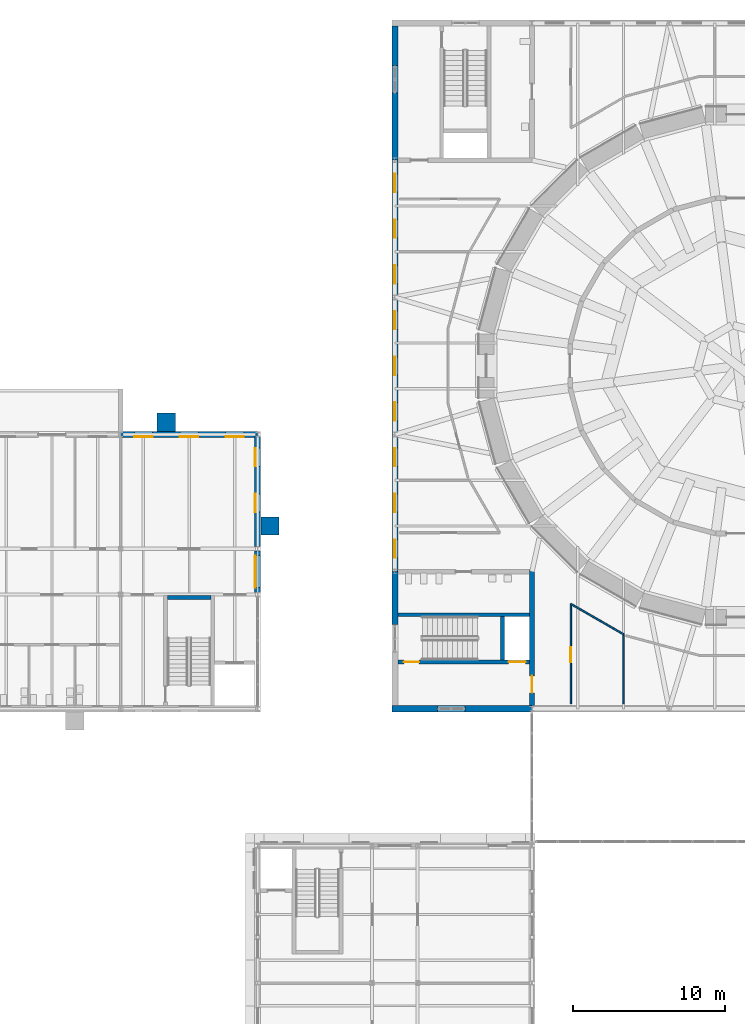
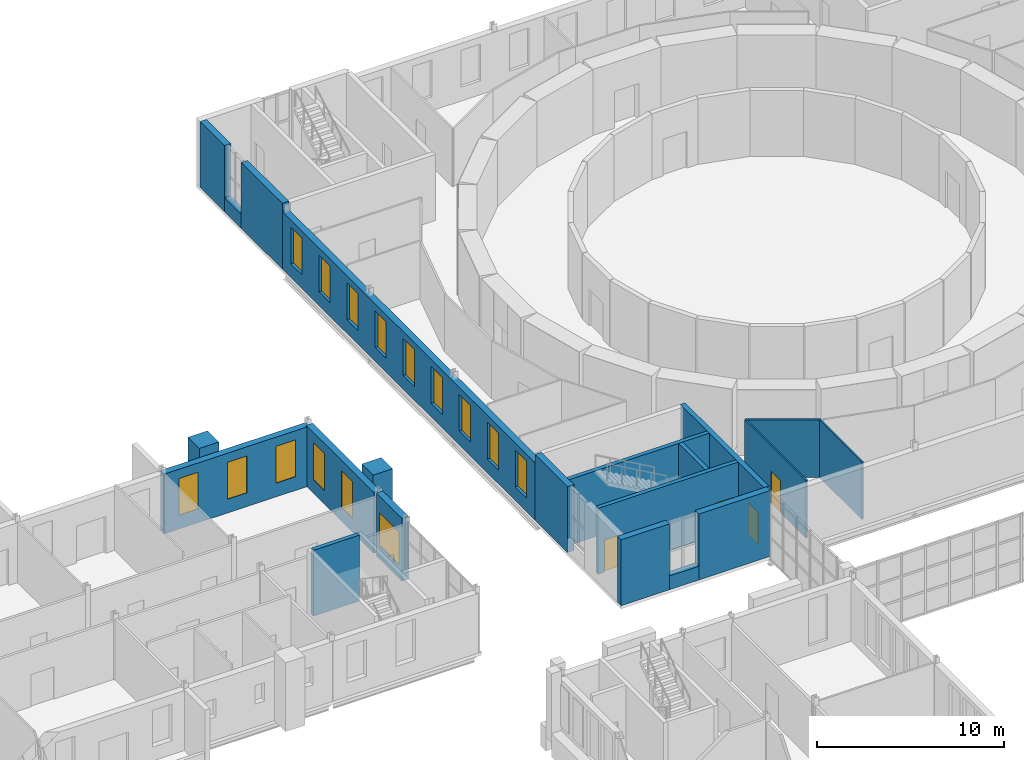
# One storey, part 84 of 131: 21 walls, 15 windows, 4 doors, 19 openings.
"""IFC4 building model written with IfcOpenShell, lengths in metres."""

import ifcopenshell
import ifcopenshell.guid

model = None  # the IFC model being written
_history = None  # IfcOwnerHistory: only IFC2X3 demands one
_inside = {}  # id of a spatial element -> (the spatial element, [elements in it])
_under = {}  # id of a project, library or spatial element -> (it, [spatial elements below it])
_declared = {}  # id of a project -> (the project, [libraries it declares])
_typed = {}  # id of a type object -> (the type object, [elements of that type])
_made_of = {}  # id of a material, layer set ... -> (it, [elements and type objects made of it])


def new_model(schema):
    """Start an empty IFC model of exactly this schema.

    Asked for "IFC4X3", IfcOpenShell would pick the latest addendum, in which some entities
    have other attributes; the version numbers below select the first issue.
    IFC2X3 requires an IfcOwnerHistory on every rooted entity: one is made here for all.
    """
    global model, _history
    if schema == "IFC4X3":
        model = ifcopenshell.file(schema_version=(4, 3, 0, 0))
    else:
        model = ifcopenshell.file(schema=schema)
    _inside.clear()
    _under.clear()
    _declared.clear()
    _typed.clear()
    _made_of.clear()
    _history = None
    if model.schema == "IFC2X3":
        org = make("IfcOrganization", Name="unknown")
        user = make(
            "IfcPersonAndOrganization",
            ThePerson=make("IfcPerson", FamilyName="unknown"),
            TheOrganization=org,
        )
        app = make(
            "IfcApplication",
            ApplicationDeveloper=org,
            Version="unknown",
            ApplicationFullName="unknown",
            ApplicationIdentifier="unknown",
        )
        _history = make(
            "IfcOwnerHistory",
            OwningUser=user,
            OwningApplication=app,
            ChangeAction="ADDED",
            CreationDate=0,
        )
    return model


def make(cls, **values):
    """One entity of the class cls with the attributes given. An attribute that is None is left unset."""
    return model.create_entity(
        cls, **{name: value for name, value in values.items() if value is not None}
    )


def rooted(cls, **values):
    """An entity with a GlobalId (a new one), such as an element, a storey or a relation."""
    return make(cls, GlobalId=ifcopenshell.guid.new(), OwnerHistory=_history, **values)


def si_unit(unit_type, name, prefix=None):
    """IfcSIUnit, for example si_unit("LENGTHUNIT", "METRE", prefix="MILLI")."""
    return make("IfcSIUnit", UnitType=unit_type, Prefix=prefix, Name=name)


def assignment(units):
    """IfcUnitAssignment: the units of a project."""
    return None if units is None else make("IfcUnitAssignment", Units=units)


def point(xyz):
    """IfcCartesianPoint."""
    return None if xyz is None else make("IfcCartesianPoint", Coordinates=xyz)


def direction(xyz):
    """IfcDirection."""
    return None if xyz is None else make("IfcDirection", DirectionRatios=xyz)


def frame(location, z_axis=None, x_axis=None):
    """IfcAxis2Placement3D, a coordinate frame: its origin and axes. An axis left out is left unset."""
    return make(
        "IfcAxis2Placement3D",
        Location=point(location),
        Axis=direction(z_axis),
        RefDirection=direction(x_axis),
    )


def frame_2d(location, x_axis=None):
    """IfcAxis2Placement2D, a coordinate frame in the plane: its origin and x axis."""
    return make(
        "IfcAxis2Placement2D", Location=point(location), RefDirection=direction(x_axis)
    )


def origin():
    """The frame at (0, 0, 0) with its axes left unset."""
    return frame((0.0, 0.0, 0.0))


def place(relative_to, where):
    """IfcLocalPlacement: puts the frame where relative to a parent placement (None: the world)."""
    return make(
        "IfcLocalPlacement", PlacementRelTo=relative_to, RelativePlacement=where
    )


def context(
    kind, dimensions, precision=None, world=None, true_north=None, identifier=None
):
    """IfcGeometricRepresentationContext, for example the 3D "Model" context."""
    return make(
        "IfcGeometricRepresentationContext",
        ContextIdentifier=identifier,
        ContextType=kind,
        CoordinateSpaceDimension=dimensions,
        Precision=precision,
        WorldCoordinateSystem=world,
        TrueNorth=true_north,
    )


def subcontext(parent, identifier, kind, view, scale=None):
    """IfcGeometricRepresentationSubContext, for example "Body" below "Model"."""
    return make(
        "IfcGeometricRepresentationSubContext",
        ContextIdentifier=identifier,
        ContextType=kind,
        ParentContext=parent,
        TargetScale=scale,
        TargetView=view,
    )


def project(units=None, contexts=None):
    """IfcProject with its units and contexts."""
    return rooted(
        "IfcProject",
        Name="project",
        RepresentationContexts=contexts,
        UnitsInContext=assignment(units),
    )


def spatial(cls, under=None, at=None, **own):
    """A site, building, storey or space (cls), placed at a placement, below another one or the project."""
    s = rooted(cls, ObjectPlacement=at, **own)
    if under is not None:
        _under.setdefault(under.id(), (under, []))[1].append(s)
    return s


def profile(cls, at=None, kind="AREA", **sizes):
    """A parametric profile (cls). Its sizes go by their IFC names, for example OverallWidth=200.0."""
    return make(cls, ProfileType=kind, Position=at, **sizes)


def rectangle(**sizes):
    """IfcRectangleProfileDef."""
    return profile("IfcRectangleProfileDef", **sizes)


def extrude(swept, where, along, depth):
    """IfcExtrudedAreaSolid: the profile swept, set in the frame where, extruded along a direction by depth."""
    return make(
        "IfcExtrudedAreaSolid",
        SweptArea=swept,
        Position=where,
        ExtrudedDirection=direction(along),
        Depth=depth,
    )


def shape(context_of_items, identifier, shape_type, items):
    """IfcShapeRepresentation: the items that make up one representation, for example the "Body"."""
    return make(
        "IfcShapeRepresentation",
        ContextOfItems=context_of_items,
        RepresentationIdentifier=identifier,
        RepresentationType=shape_type,
        Items=items,
    )


def material(Name=None, Category=None):
    """IfcMaterial."""
    return make("IfcMaterial", Name=Name, Category=Category)


def layer(
    of_material, thickness, ventilated=None, Name=None, Category=None, Priority=None
):
    """IfcMaterialLayer: one layer of a wall or slab, of a material (None: an air gap)."""
    return make(
        "IfcMaterialLayer",
        Material=of_material,
        LayerThickness=thickness,
        IsVentilated=ventilated,
        Name=Name,
        Category=Category,
        Priority=Priority,
    )


def layer_set(layers, Name=None):
    """IfcMaterialLayerSet."""
    return make("IfcMaterialLayerSet", MaterialLayers=layers, LayerSetName=Name)


def made_of(thing, what):
    """Note that an element or type object is made of a material, layer set ...; save() writes the relation."""
    if what is not None:
        _made_of.setdefault(what.id(), (what, []))[1].append(thing)
    return thing


def type_object(cls, material=None, **own):
    """A type object (cls), such as IfcWallType, which elements share."""
    return made_of(rooted(cls, **own), material)


def element(
    cls,
    number,
    at=None,
    inside=None,
    cuts=None,
    type_object=None,
    material=None,
    context=None,
    identifier="Body",
    shape_type=None,
    held_by="IfcProductDefinitionShape",
    body=None,
    shapes=None,
    **own,
):
    """One element of the class cls, such as IfcWall. Its Tag is "e" and its number.

    at: its placement. inside: the storey or other place that contains it. cuts: it is an
    opening in that element (IfcRelVoidsElement). A single representation is given by context,
    identifier, shape_type and body (its items); several are given by shapes. held_by: the class
    of the entity that holds the representations. save() writes the other relations.
    """
    e = rooted(cls, Tag="e%d" % number, ObjectPlacement=at, **own)
    if body is not None:
        shapes = [shape(context, identifier, shape_type, body)]
    if shapes is not None:
        e.Representation = make(held_by, Representations=shapes)
    if inside is not None:
        _inside.setdefault(inside.id(), (inside, []))[1].append(e)
    if cuts is not None:
        rooted(
            "IfcRelVoidsElement", RelatingBuildingElement=cuts, RelatedOpeningElement=e
        )
    if type_object is not None:
        _typed.setdefault(type_object.id(), (type_object, []))[1].append(e)
    return made_of(e, material)


def fill(opening, filler):
    """IfcRelFillsElement: the door or window that sits in an opening."""
    return rooted(
        "IfcRelFillsElement",
        RelatingOpeningElement=opening,
        RelatedBuildingElement=filler,
    )


def aggregate(whole, parts):
    """IfcRelAggregates: a whole, such as a stair, and the parts it consists of."""
    return rooted("IfcRelAggregates", RelatingObject=whole, RelatedObjects=parts)


def save(model, path):
    """Write the relations noted so far, then the file.

    IfcRelAggregates (storeys below a building ...), IfcRelContainedInSpatialStructure (elements
    in a storey), IfcRelDefinesByType, IfcRelAssociatesMaterial and IfcRelDeclares: one each for
    every whole, place, type object, material and project.
    """
    for whole, parts in _under.values():
        aggregate(whole, parts)
    for where, things in _inside.values():
        rooted(
            "IfcRelContainedInSpatialStructure",
            RelatedElements=things,
            RelatingStructure=where,
        )
    for kind, things in _typed.values():
        rooted("IfcRelDefinesByType", RelatedObjects=things, RelatingType=kind)
    for what, things in _made_of.values():
        rooted("IfcRelAssociatesMaterial", RelatedObjects=things, RelatingMaterial=what)
    for by, libraries in _declared.values():
        rooted("IfcRelDeclares", RelatingContext=by, RelatedDefinitions=libraries)
    model.write(path)


model = new_model("IFC4")

# Units and contexts
model_context = context("Model", 3, precision=1e-05, world=origin(), true_north=direction((0.0, 1.0)))
body_context = subcontext(model_context, "Body", "Model", "MODEL_VIEW")
ifc_project = project(units=[si_unit("LENGTHUNIT", "METRE"), si_unit("AREAUNIT", "SQUARE_METRE"), si_unit("VOLUMEUNIT", "CUBIC_METRE"), si_unit("PLANEANGLEUNIT", "RADIAN"), si_unit("MASSUNIT", "GRAM", prefix="KILO")], contexts=[model_context])

# Site, building, storey
site_placement = place(None, origin())
site = spatial("IfcSite", under=ifc_project, at=site_placement, CompositionType="ELEMENT")
building_placement = place(site_placement, origin())
building = spatial("IfcBuilding", under=site, at=building_placement, Name="Golden Quay Civic Hall", CompositionType="ELEMENT")
storey_placement = place(building_placement, frame((0.0, 0.0, 9.89990234375)))
storey = spatial("IfcBuildingStorey", under=building, at=storey_placement, Name="L02", CompositionType="ELEMENT", Elevation=9.89990234375)

# Wall, openings, windows
ifc_material_1 = material(Name="Brick, dark clay facing", Category="masonry")
ifc_layer_1 = layer(ifc_material_1, 0.39990234375)
ifc_layer_set_1 = layer_set([ifc_layer_1], Name="Brick external wall 400")
wall_type_1 = type_object("IfcWallType", Name="Brick external wall 400", PredefinedType="STANDARD", material=ifc_layer_set_1)
wall_1_placement = place(storey_placement, frame((45.009033203125, 81.0, 0.0), z_axis=(0.0, 0.0, 1.0), x_axis=(1.0, 0.0, 0.0)))
wall_1 = element("IfcWall", 1, at=wall_1_placement, inside=storey, type_object=wall_type_1, Name="Brick external wall 400 L02 5", PredefinedType="STANDARD", context=body_context, shape_type="SweptSolid", body=[
    extrude(rectangle(XDim=8.98193359375, YDim=0.39990234375, at=frame_2d((4.490966796875, 0.0))), origin(), (0.0, 0.0, 1.0), 3.900146484375),
])
opening_1_placement = place(wall_1_placement, frame((0.89111328125, 0.0, 0.89990234375)))
opening_1 = element("IfcOpeningElement", 2, at=opening_1_placement, cuts=wall_1, Name="Opening WN7", PredefinedType="OPENING", context=body_context, shape_type="SweptSolid", body=[
    extrude(rectangle(XDim=1.199951171875, YDim=2.39990234375, at=frame_2d((0.60009765625, 1.199951171875))), frame((0.0, 0.2099609375, 0.0), z_axis=(0.0, -1.0, 0.0), x_axis=(1.0, 0.0, 0.0)), (0.0, 0.0, 1.0), 0.419921875),
])
opening_2_placement = place(wall_1_placement, frame((3.89111328125, 0.0, 0.89990234375)))
opening_2 = element("IfcOpeningElement", 3, at=opening_2_placement, cuts=wall_1, Name="Opening WN7", PredefinedType="OPENING", context=body_context, shape_type="SweptSolid", body=[
    extrude(rectangle(XDim=1.199951171875, YDim=2.39990234375, at=frame_2d((0.60009765625, 1.199951171875))), frame((0.0, 0.2099609375, 0.0), z_axis=(0.0, -1.0, 0.0), x_axis=(1.0, 0.0, 0.0)), (0.0, 0.0, 1.0), 0.419921875),
])
opening_3_placement = place(wall_1_placement, frame((6.89111328125, 0.0, 0.89990234375)))
opening_3 = element("IfcOpeningElement", 4, at=opening_3_placement, cuts=wall_1, Name="Opening WN7", PredefinedType="OPENING", context=body_context, shape_type="SweptSolid", body=[
    extrude(rectangle(XDim=1.199951171875, YDim=2.39990234375, at=frame_2d((0.60009765625, 1.199951171875))), frame((0.0, 0.2099609375, 0.0), z_axis=(0.0, -1.0, 0.0), x_axis=(1.0, 0.0, 0.0)), (0.0, 0.0, 1.0), 0.419921875),
])
ifc_material_2 = material(Name="Aluminium frame, double glazed", Category="aluminium")
window_type_1 = type_object("IfcWindowType", Name="Window 1200 x 2400", PartitioningType="SINGLE_PANEL", PredefinedType="WINDOW", material=ifc_material_2)
window_1_placement = place(opening_1_placement, origin())
window_1 = element("IfcWindow", 5, at=window_1_placement, inside=storey, type_object=window_type_1, Name="Window 1200 x 2400 L02 11", OverallHeight=2.39990234375, OverallWidth=1.199951171875, PartitioningType="SINGLE_PANEL", PredefinedType="WINDOW", context=body_context, shape_type="SweptSolid", body=[
    extrude(rectangle(XDim=1.199951171875, YDim=2.39990234375, at=frame_2d((0.60009765625, 1.199951171875))), frame((0.0, -0.119873046875, 0.0), z_axis=(0.0, -1.0, 0.0), x_axis=(1.0, 0.0, 0.0)), (0.0, 0.0, 1.0), 0.06005859375),
])
fill(opening_1, window_1)
window_2_placement = place(opening_2_placement, origin())
window_2 = element("IfcWindow", 6, at=window_2_placement, inside=storey, type_object=window_type_1, Name="Window 1200 x 2400 L02 12", OverallHeight=2.39990234375, OverallWidth=1.199951171875, PartitioningType="SINGLE_PANEL", PredefinedType="WINDOW", context=body_context, shape_type="SweptSolid", body=[
    extrude(rectangle(XDim=1.199951171875, YDim=2.39990234375, at=frame_2d((0.60009765625, 1.199951171875))), frame((0.0, -0.119873046875, 0.0), z_axis=(0.0, -1.0, 0.0), x_axis=(1.0, 0.0, 0.0)), (0.0, 0.0, 1.0), 0.06005859375),
])
fill(opening_2, window_2)
window_3_placement = place(opening_3_placement, origin())
window_3 = element("IfcWindow", 7, at=window_3_placement, inside=storey, type_object=window_type_1, Name="Window 1200 x 2400 L02 13", OverallHeight=2.39990234375, OverallWidth=1.199951171875, PartitioningType="SINGLE_PANEL", PredefinedType="WINDOW", context=body_context, shape_type="SweptSolid", body=[
    extrude(rectangle(XDim=1.199951171875, YDim=2.39990234375, at=frame_2d((0.60009765625, 1.199951171875))), frame((0.0, -0.119873046875, 0.0), z_axis=(0.0, -1.0, 0.0), x_axis=(1.0, 0.0, 0.0)), (0.0, 0.0, 1.0), 0.06005859375),
])
fill(opening_3, window_3)

# Wall, opening, window
wall_2_placement = place(storey_placement, frame((54.0, 73.364990234375, 0.0), z_axis=(0.0, 0.0, 1.0), x_axis=(0.0, -1.0, 0.0)))
wall_2 = element("IfcWall", 8, at=wall_2_placement, inside=storey, type_object=wall_type_1, Name="Brick external wall 400 L02 6", PredefinedType="STANDARD", context=body_context, shape_type="SweptSolid", body=[
    extrude(rectangle(XDim=2.72998046875, YDim=0.39990234375, at=frame_2d((1.364990234375, 0.0))), origin(), (0.0, 0.0, 1.0), 4.10009765625),
])
opening_4_placement = place(wall_2_placement, frame((0.31494140625, 0.0, 0.89990234375)))
opening_4 = element("IfcOpeningElement", 9, at=opening_4_placement, cuts=wall_2, Name="Opening WN2", PredefinedType="OPENING", context=body_context, shape_type="SweptSolid", body=[
    extrude(rectangle(XDim=2.10009765625, YDim=2.10009765625, at=frame_2d((1.050048828125, 1.050048828125))), frame((0.0, 0.2099609375, 0.0), z_axis=(0.0, -1.0, 0.0), x_axis=(1.0, 0.0, 0.0)), (0.0, 0.0, 1.0), 0.419921875),
])
ifc_material_3 = material(Name="Aluminium frame, double glazed", Category="aluminium")
window_type_2 = type_object("IfcWindowType", Name="Corridor end window 2100 x 2100", PartitioningType="SINGLE_PANEL", PredefinedType="WINDOW", material=ifc_material_3)
window_4_placement = place(opening_4_placement, origin())
window_4 = element("IfcWindow", 10, at=window_4_placement, inside=storey, type_object=window_type_2, Name="Corridor end window 2100 x 2100 L02 1", OverallHeight=2.10009765625, OverallWidth=2.10009765625, PartitioningType="SINGLE_PANEL", PredefinedType="WINDOW", context=body_context, shape_type="SweptSolid", body=[
    extrude(rectangle(XDim=2.10009765625, YDim=2.10009765625, at=frame_2d((1.050048828125, 1.050048828125))), frame((0.0, -0.119873046875, 0.0), z_axis=(0.0, -1.0, 0.0), x_axis=(1.0, 0.0, 0.0)), (0.0, 0.0, 1.0), 0.06005859375),
])
fill(opening_4, window_4)

# Wall, openings, windows
wall_3_placement = place(storey_placement, frame((54.0, 80.864990234375, 0.0), z_axis=(0.0, 0.0, 1.0), x_axis=(0.0, -1.0, 0.0)))
wall_3 = element("IfcWall", 11, at=wall_3_placement, inside=storey, type_object=wall_type_1, Name="Brick external wall 400 L02 7", PredefinedType="STANDARD", context=body_context, shape_type="SweptSolid", body=[
    extrude(rectangle(XDim=7.22998046875, YDim=0.39990234375, at=frame_2d((3.614990234375, 0.0))), origin(), (0.0, 0.0, 1.0), 3.97021484375),
])
opening_5_placement = place(wall_3_placement, frame((3.764892578125, 0.0, 0.89990234375)))
opening_5 = element("IfcOpeningElement", 12, at=opening_5_placement, cuts=wall_3, Name="Opening WN7", PredefinedType="OPENING", context=body_context, shape_type="SweptSolid", body=[
    extrude(rectangle(XDim=1.199951171875, YDim=2.39990234375, at=frame_2d((0.60009765625, 1.199951171875))), frame((0.0, 0.2099609375, 0.0), z_axis=(0.0, -1.0, 0.0), x_axis=(1.0, 0.0, 0.0)), (0.0, 0.0, 1.0), 0.419921875),
])
opening_6_placement = place(wall_3_placement, frame((0.764892578125, 0.0, 0.89990234375)))
opening_6 = element("IfcOpeningElement", 13, at=opening_6_placement, cuts=wall_3, Name="Opening WN7", PredefinedType="OPENING", context=body_context, shape_type="SweptSolid", body=[
    extrude(rectangle(XDim=1.199951171875, YDim=2.39990234375, at=frame_2d((0.60009765625, 1.199951171875))), frame((0.0, 0.2099609375, 0.0), z_axis=(0.0, -1.0, 0.0), x_axis=(1.0, 0.0, 0.0)), (0.0, 0.0, 1.0), 0.419921875),
])
window_5_placement = place(opening_5_placement, origin())
window_5 = element("IfcWindow", 14, at=window_5_placement, inside=storey, type_object=window_type_1, Name="Window 1200 x 2400 L02 14", OverallHeight=2.39990234375, OverallWidth=1.199951171875, PartitioningType="SINGLE_PANEL", PredefinedType="WINDOW", context=body_context, shape_type="SweptSolid", body=[
    extrude(rectangle(XDim=1.199951171875, YDim=2.39990234375, at=frame_2d((0.60009765625, 1.199951171875))), frame((0.0, -0.119873046875, 0.0), z_axis=(0.0, -1.0, 0.0), x_axis=(1.0, 0.0, 0.0)), (0.0, 0.0, 1.0), 0.06005859375),
])
fill(opening_5, window_5)
window_6_placement = place(opening_6_placement, origin())
window_6 = element("IfcWindow", 15, at=window_6_placement, inside=storey, type_object=window_type_1, Name="Window 1200 x 2400 L02 15", OverallHeight=2.39990234375, OverallWidth=1.199951171875, PartitioningType="SINGLE_PANEL", PredefinedType="WINDOW", context=body_context, shape_type="SweptSolid", body=[
    extrude(rectangle(XDim=1.199951171875, YDim=2.39990234375, at=frame_2d((0.60009765625, 1.199951171875))), frame((0.0, -0.119873046875, 0.0), z_axis=(0.0, -1.0, 0.0), x_axis=(1.0, 0.0, 0.0)), (0.0, 0.0, 1.0), 0.06005859375),
])
fill(opening_6, window_6)

# Walls
ifc_material_4 = material(Name="Brick, dark clay facing", Category="masonry")
ifc_layer_2 = layer(ifc_material_4, 1.199951171875)
ifc_layer_set_2 = layer_set([ifc_layer_2], Name="Brick pilaster 1200 x 1200")
wall_type_2 = type_object("IfcWallType", Name="Brick pilaster 1200 x 1200", PredefinedType="STANDARD", material=ifc_layer_set_2)
for number, where, z_axis, x_axis, name in (
    (16, (47.39990234375, 81.800048828125, 0.0), (0.0, 0.0, 1.0), (1.0, 0.0, 0.0), "Brick pilaster 1200 x 1200 L02 2"),
    (17, (54.800048828125, 74.39990234375, 0.0), (0.0, 0.0, 1.0), (0.0, 1.0, 0.0), "Brick pilaster 1200 x 1200 L02 3"),
):
    element("IfcWall", number, at=place(storey_placement, frame(where, z_axis=z_axis, x_axis=x_axis)), inside=storey, type_object=wall_type_2, Name=name, PredefinedType="STANDARD", context=body_context, shape_type="SweptSolid", body=[
        extrude(rectangle(XDim=1.2001953125, YDim=1.199951171875, at=frame_2d((0.60009765625, 0.0))), origin(), (0.0, 0.0, 1.0), 4.5),
    ])
ifc_material_5 = material(Name="Concrete C40/50", Category="concrete")
ifc_layer_3 = layer(ifc_material_5, 0.25)
ifc_layer_set_3 = layer_set([ifc_layer_3], Name="Concrete core wall 250, Concrete C40/50")
wall_type_3 = type_object("IfcWallType", Name="Concrete core wall 250", PredefinedType="SHEAR", material=ifc_layer_set_3)
wall_4_placement = place(storey_placement, frame((48.074951171875, 70.300048828125, 0.0), z_axis=(0.0, 0.0, 1.0), x_axis=(1.0, 0.0, 0.0)))
element("IfcWall", 18, at=wall_4_placement, inside=storey, type_object=wall_type_3, Name="Core wall NW-E-W3", PredefinedType="SHEAR", context=body_context, shape_type="SweptSolid", body=[
    extrude(rectangle(XDim=2.85009765625, YDim=0.25, at=frame_2d((1.425048828125, 0.0))), origin(), (0.0, 0.0, 1.0), 4.300048828125),
])
ifc_material_6 = material(Name="Plasterboard on steel studs", Category="steel")
ifc_layer_4 = layer(ifc_material_6, 0.10009765625)
ifc_layer_set_4 = layer_set([ifc_layer_4], Name="Partition 100 stud")
wall_type_4 = type_object("IfcWallType", Name="Partition 100 stud", PredefinedType="PARTITIONING", material=ifc_layer_set_4)
wall_5_placement = place(storey_placement, frame((78.0, 63.320068359375, 0.0), z_axis=(0.0, 0.0, 1.0), x_axis=(0.0, 1.0, 0.0)))
element("IfcWall", 19, at=wall_5_placement, inside=storey, type_object=wall_type_4, Name="Partition 1", PredefinedType="PARTITIONING", context=body_context, shape_type="SweptSolid", body=[
    extrude(rectangle(XDim=4.57080078125, YDim=0.10009765625, at=frame_2d((2.285400390625, 0.0))), origin(), (0.0, 0.0, 1.0), 3.760009765625),
])
ifc_material_7 = material(Name="Gypsum board on steel stud", Category="steel")
ifc_layer_5 = layer(ifc_material_7, 0.10009765625)
ifc_layer_set_5 = layer_set([ifc_layer_5], Name="Partition 100 stud fire EI 60")
wall_type_5 = type_object("IfcWallType", Name="Partition 100 stud fire EI 60", PredefinedType="PARTITIONING", material=ifc_layer_set_5)
wall_6_placement = place(storey_placement, frame((78.02001953125, 67.87939453125, 0.0), z_axis=(0.0, 0.0, 1.0), x_axis=(-0.866022221199, 0.500005512359, 0.0)))
element("IfcWall", 20, at=wall_6_placement, inside=storey, type_object=wall_type_5, Name="Partition 2", PredefinedType="PARTITIONING", context=body_context, shape_type="SweptSolid", body=[
    extrude(rectangle(XDim=4.0068359375, YDim=0.10009765625, at=frame_2d((2.00341796875, 0.0))), origin(), (0.0, 0.0, 1.0), 3.760009765625),
])

# Wall, opening, door
wall_7_placement = place(storey_placement, frame((74.550048828125, 69.8828125, 0.0), z_axis=(0.0, 0.0, 1.0), x_axis=(0.0, -1.0, 0.0)))
wall_7 = element("IfcWall", 21, at=wall_7_placement, inside=storey, type_object=wall_type_5, Name="Partition 3", PredefinedType="PARTITIONING", context=body_context, shape_type="SweptSolid", body=[
    extrude(rectangle(XDim=6.562744140625, YDim=0.10009765625, at=frame_2d((3.28125, 0.0))), origin(), (0.0, 0.0, 1.0), 3.760009765625),
])
opening_7_placement = place(wall_7_placement, frame((2.84130859375, 0.0, 0.0)))
opening_7 = element("IfcOpeningElement", 22, at=opening_7_placement, cuts=wall_7, Name="Opening L02-D181", PredefinedType="OPENING", context=body_context, shape_type="SweptSolid", body=[
    extrude(rectangle(XDim=1.0, YDim=2.10009765625, at=frame_2d((0.5, 1.050048828125))), frame((0.0, 0.06005859375, 0.0), z_axis=(0.0, -1.0, 0.0), x_axis=(1.0, 0.0, 0.0)), (0.0, 0.0, 1.0), 0.1201171875),
])
ifc_material_8 = material(Name="Timber", Category="wood")
door_type_1 = type_object("IfcDoorType", Name="Timber fire door FD30S 1000 x 2100", OperationType="SINGLE_SWING_LEFT", PredefinedType="DOOR", material=ifc_material_8)
door_1_placement = place(opening_7_placement, origin())
door_1 = element("IfcDoor", 23, at=door_1_placement, inside=storey, type_object=door_type_1, Name="Door Mayor's Secretary", OperationType="SINGLE_SWING_LEFT", OverallHeight=2.10009765625, OverallWidth=1.0, PredefinedType="DOOR", context=body_context, shape_type="SweptSolid", body=[
    extrude(rectangle(XDim=1.0, YDim=2.10009765625, at=frame_2d((0.5, 1.050048828125))), frame((0.0, 0.02490234375, 0.0), z_axis=(0.0, -1.0, 0.0), x_axis=(1.0, 0.0, 0.0)), (0.0, 0.0, 1.0), 0.050048828125),
])
fill(opening_7, door_1)

ifc_material_9 = material(Name="Concrete C40/50", Category="concrete")
ifc_layer_6 = layer(ifc_material_9, 0.300048828125)
ifc_layer_set_6 = layer_set([ifc_layer_6], Name="Reinforced concrete core wall 300, Concrete C40/50")
wall_type_6 = type_object("IfcWallType", Name="Reinforced concrete core wall 300", PredefinedType="SHEAR", material=ifc_layer_set_6)
wall_8_placement = place(storey_placement, frame((72.0, 63.199951171875, 0.0), z_axis=(0.0, 0.0, 1.0), x_axis=(0.0, 1.0, 0.0)))
wall_8 = element("IfcWall", 24, at=wall_8_placement, inside=storey, type_object=wall_type_6, Name="Core wall SW A", PredefinedType="SHEAR", context=body_context, shape_type="SweptSolid", body=[
    extrude(rectangle(XDim=8.949951171875, YDim=0.300048828125, at=frame_2d((4.47509765625, 0.0))), origin(), (0.0, 0.0, 1.0), 4.300048828125),
])
opening_8_placement = place(wall_8_placement, frame((0.85009765625, 0.0, 0.0)))
opening_8 = element("IfcOpeningElement", 25, at=opening_8_placement, cuts=wall_8, Name="Opening L02-D164", PredefinedType="OPENING", context=body_context, shape_type="SweptSolid", body=[
    extrude(rectangle(XDim=1.10009765625, YDim=2.10009765625, at=frame_2d((0.550048828125, 1.050048828125))), frame((0.0, 0.159912109375, 0.0), z_axis=(0.0, -1.0, 0.0), x_axis=(1.0, 0.0, 0.0)), (0.0, 0.0, 1.0), 0.320068359375),
])
ifc_material_10 = material(Name="Steel", Category="steel")
door_type_2 = type_object("IfcDoorType", Name="Steel fire door FD60 1100 x 2100", OperationType="SINGLE_SWING_LEFT", PredefinedType="DOOR", material=ifc_material_10)
door_2_placement = place(opening_8_placement, frame((1.10009765625, 0.0, 0.0), z_axis=(0.0, 0.0, 1.0), x_axis=(-1.0, 0.0, 0.0)))
door_2 = element("IfcDoor", 26, at=door_2_placement, inside=storey, type_object=door_type_2, Name="Core lobby door SW", OperationType="SINGLE_SWING_RIGHT", OverallHeight=2.10009765625, OverallWidth=1.10009765625, PredefinedType="DOOR", context=body_context, shape_type="SweptSolid", body=[
    extrude(rectangle(XDim=1.10009765625, YDim=2.10009765625, at=frame_2d((0.550048828125, 1.050048828125))), frame((0.0, 0.025146484375, 0.0), z_axis=(0.0, -1.0, 0.0), x_axis=(1.0, 0.0, 0.0)), (0.0, 0.0, 1.0), 0.050048828125),
])
fill(opening_8, door_2)

# Wall, openings, doors
ifc_material_11 = material(Name="Concrete C40/50", Category="concrete")
ifc_layer_7 = layer(ifc_material_11, 0.25)
ifc_layer_set_7 = layer_set([ifc_layer_7], Name="Reinforced concrete shaft wall 250, Concrete C40/50")
wall_type_7 = type_object("IfcWallType", Name="Reinforced concrete shaft wall 250", PredefinedType="SHEAR", material=ifc_layer_set_7)
wall_9_placement = place(storey_placement, frame((63.199951171875, 66.074951171875, 0.0), z_axis=(0.0, 0.0, 1.0), x_axis=(1.0, 0.0, 0.0)))
wall_9 = element("IfcWall", 27, at=wall_9_placement, inside=storey, type_object=wall_type_7, Name="Shaft wall SW 1", PredefinedType="SHEAR", context=body_context, shape_type="SweptSolid", body=[
    extrude(rectangle(XDim=8.650146484375, YDim=0.25, at=frame_2d((4.3251953125, 0.0))), origin(), (0.0, 0.0, 1.0), 4.300048828125),
])
opening_9_placement = place(wall_9_placement, frame((0.39990234375, 0.0, 0.0)))
opening_9 = element("IfcOpeningElement", 28, at=opening_9_placement, cuts=wall_9, Name="Opening L02-D163", PredefinedType="OPENING", context=body_context, shape_type="SweptSolid", body=[
    extrude(rectangle(XDim=1.0, YDim=2.10009765625, at=frame_2d((0.5, 1.050048828125))), frame((0.0, 0.135009765625, 0.0), z_axis=(0.0, -1.0, 0.0), x_axis=(1.0, 0.0, 0.0)), (0.0, 0.0, 1.0), 0.27001953125),
])
opening_10_placement = place(wall_9_placement, frame((7.27490234375, 0.0, 0.0)))
opening_10 = element("IfcOpeningElement", 29, at=opening_10_placement, cuts=wall_9, Name="Opening L02-D166", PredefinedType="OPENING", context=body_context, shape_type="SweptSolid", body=[
    extrude(rectangle(XDim=1.10009765625, YDim=2.10009765625, at=frame_2d((0.550048828125, 1.050048828125))), frame((0.0, 0.135009765625, 0.0), z_axis=(0.0, -1.0, 0.0), x_axis=(1.0, 0.0, 0.0)), (0.0, 0.0, 1.0), 0.27001953125),
])
ifc_material_12 = material(Name="Steel", Category="steel")
door_type_3 = type_object("IfcDoorType", Name="Lift landing door 1100 x 2100", OperationType="SLIDING_TO_LEFT", PredefinedType="DOOR", material=ifc_material_12)
door_3_placement = place(opening_10_placement, frame((1.10009765625, 0.0, 0.0), z_axis=(0.0, 0.0, 1.0), x_axis=(-1.0, 0.0, 0.0)))
door_3 = element("IfcDoor", 30, at=door_3_placement, inside=storey, type_object=door_type_3, Name="Lift SW landing door", OperationType="SLIDING_TO_LEFT", OverallHeight=2.10009765625, OverallWidth=1.10009765625, PredefinedType="DOOR", context=body_context, shape_type="SweptSolid", body=[
    extrude(rectangle(XDim=1.10009765625, YDim=2.10009765625, at=frame_2d((0.550048828125, 1.050048828125))), frame((0.0, 0.025146484375, 0.0), z_axis=(0.0, -1.0, 0.0), x_axis=(1.0, 0.0, 0.0)), (0.0, 0.0, 1.0), 0.050048828125),
])
fill(opening_10, door_3)
door_4_placement = place(opening_9_placement, origin())
door_4 = element("IfcDoor", 31, at=door_4_placement, inside=storey, type_object=door_type_2, Name="Stair door SW", OperationType="SINGLE_SWING_LEFT", OverallHeight=2.10009765625, OverallWidth=1.0, PredefinedType="DOOR", context=body_context, shape_type="SweptSolid", body=[
    extrude(rectangle(XDim=1.0, YDim=2.10009765625, at=frame_2d((0.5, 1.050048828125))), frame((0.0, 0.02490234375, 0.0), z_axis=(0.0, -1.0, 0.0), x_axis=(1.0, 0.0, 0.0)), (0.0, 0.0, 1.0), 0.050048828125),
])
fill(opening_9, door_4)

# Walls
wall_10_placement = place(storey_placement, frame((63.199951171875, 69.175048828125, 0.0), z_axis=(0.0, 0.0, 1.0), x_axis=(1.0, 0.0, 0.0)))
element("IfcWall", 32, at=wall_10_placement, inside=storey, type_object=wall_type_7, Name="Shaft wall SW 2", PredefinedType="SHEAR", context=body_context, shape_type="SweptSolid", body=[
    extrude(rectangle(XDim=8.650146484375, YDim=0.25, at=frame_2d((4.3251953125, 0.0))), origin(), (0.0, 0.0, 1.0), 4.300048828125),
])
wall_11_placement = place(storey_placement, frame((70.074951171875, 66.199951171875, 0.0), z_axis=(0.0, 0.0, 1.0), x_axis=(0.0, 1.0, 0.0)))
element("IfcWall", 33, at=wall_11_placement, inside=storey, type_object=wall_type_7, Name="Shaft wall SW 3", PredefinedType="SHEAR", context=body_context, shape_type="SweptSolid", body=[
    extrude(rectangle(XDim=2.85009765625, YDim=0.25, at=frame_2d((1.425048828125, 0.0))), origin(), (0.0, 0.0, 1.0), 4.300048828125),
])

# Wall, openings, windows
ifc_material_13 = material(Name="Brick masonry with render", Category="masonry")
ifc_layer_8 = layer(ifc_material_13, 0.39990234375)
ifc_layer_set_8 = layer_set([ifc_layer_8], Name="Rendered brick external wall 400")
wall_type_8 = type_object("IfcWallType", Name="Rendered brick external wall 400", PredefinedType="STANDARD", material=ifc_layer_set_8)
wall_12_placement = place(storey_placement, frame((63.0, 72.0, 0.0), z_axis=(0.0, 0.0, 1.0), x_axis=(0.0, 1.0, 0.0)))
wall_12 = element("IfcWall", 34, at=wall_12_placement, inside=storey, type_object=wall_type_8, Name="Base wall W 72", PredefinedType="STANDARD", context=body_context, shape_type="SweptSolid", body=[
    extrude(rectangle(XDim=27.0, YDim=0.39990234375, at=frame_2d((13.5, 0.0))), origin(), (0.0, 0.0, 1.0), 3.760009765625),
])
opening_11_placement = place(wall_12_placement, frame((0.89990234375, 0.0, 0.89990234375)))
opening_11 = element("IfcOpeningElement", 35, at=opening_11_placement, cuts=wall_12, Name="Opening WN7", PredefinedType="OPENING", context=body_context, shape_type="SweptSolid", body=[
    extrude(rectangle(XDim=1.199951171875, YDim=2.39990234375, at=frame_2d((0.60009765625, 1.199951171875))), frame((0.0, 0.2099609375, 0.0), z_axis=(0.0, -1.0, 0.0), x_axis=(1.0, 0.0, 0.0)), (0.0, 0.0, 1.0), 0.419921875),
])
opening_12_placement = place(wall_12_placement, frame((3.89990234375, 0.0, 0.89990234375)))
opening_12 = element("IfcOpeningElement", 36, at=opening_12_placement, cuts=wall_12, Name="Opening WN7", PredefinedType="OPENING", context=body_context, shape_type="SweptSolid", body=[
    extrude(rectangle(XDim=1.199951171875, YDim=2.39990234375, at=frame_2d((0.60009765625, 1.199951171875))), frame((0.0, 0.2099609375, 0.0), z_axis=(0.0, -1.0, 0.0), x_axis=(1.0, 0.0, 0.0)), (0.0, 0.0, 1.0), 0.419921875),
])
opening_13_placement = place(wall_12_placement, frame((6.89990234375, 0.0, 0.89990234375)))
opening_13 = element("IfcOpeningElement", 37, at=opening_13_placement, cuts=wall_12, Name="Opening WN7", PredefinedType="OPENING", context=body_context, shape_type="SweptSolid", body=[
    extrude(rectangle(XDim=1.199951171875, YDim=2.39990234375, at=frame_2d((0.60009765625, 1.199951171875))), frame((0.0, 0.2099609375, 0.0), z_axis=(0.0, -1.0, 0.0), x_axis=(1.0, 0.0, 0.0)), (0.0, 0.0, 1.0), 0.419921875),
])
opening_14_placement = place(wall_12_placement, frame((9.89990234375, 0.0, 0.89990234375)))
opening_14 = element("IfcOpeningElement", 38, at=opening_14_placement, cuts=wall_12, Name="Opening WN7", PredefinedType="OPENING", context=body_context, shape_type="SweptSolid", body=[
    extrude(rectangle(XDim=1.199951171875, YDim=2.39990234375, at=frame_2d((0.60009765625, 1.199951171875))), frame((0.0, 0.2099609375, 0.0), z_axis=(0.0, -1.0, 0.0), x_axis=(1.0, 0.0, 0.0)), (0.0, 0.0, 1.0), 0.419921875),
])
opening_15_placement = place(wall_12_placement, frame((12.89990234375, 0.0, 0.89990234375)))
opening_15 = element("IfcOpeningElement", 39, at=opening_15_placement, cuts=wall_12, Name="Opening WN7", PredefinedType="OPENING", context=body_context, shape_type="SweptSolid", body=[
    extrude(rectangle(XDim=1.199951171875, YDim=2.39990234375, at=frame_2d((0.60009765625, 1.199951171875))), frame((0.0, 0.2099609375, 0.0), z_axis=(0.0, -1.0, 0.0), x_axis=(1.0, 0.0, 0.0)), (0.0, 0.0, 1.0), 0.419921875),
])
opening_16_placement = place(wall_12_placement, frame((15.89990234375, 0.0, 0.89990234375)))
opening_16 = element("IfcOpeningElement", 40, at=opening_16_placement, cuts=wall_12, Name="Opening WN7", PredefinedType="OPENING", context=body_context, shape_type="SweptSolid", body=[
    extrude(rectangle(XDim=1.199951171875, YDim=2.39990234375, at=frame_2d((0.60009765625, 1.199951171875))), frame((0.0, 0.2099609375, 0.0), z_axis=(0.0, -1.0, 0.0), x_axis=(1.0, 0.0, 0.0)), (0.0, 0.0, 1.0), 0.419921875),
])
opening_17_placement = place(wall_12_placement, frame((18.89990234375, 0.0, 0.89990234375)))
opening_17 = element("IfcOpeningElement", 41, at=opening_17_placement, cuts=wall_12, Name="Opening WN7", PredefinedType="OPENING", context=body_context, shape_type="SweptSolid", body=[
    extrude(rectangle(XDim=1.199951171875, YDim=2.39990234375, at=frame_2d((0.60009765625, 1.199951171875))), frame((0.0, 0.2099609375, 0.0), z_axis=(0.0, -1.0, 0.0), x_axis=(1.0, 0.0, 0.0)), (0.0, 0.0, 1.0), 0.419921875),
])
opening_18_placement = place(wall_12_placement, frame((21.89990234375, 0.0, 0.89990234375)))
opening_18 = element("IfcOpeningElement", 42, at=opening_18_placement, cuts=wall_12, Name="Opening WN7", PredefinedType="OPENING", context=body_context, shape_type="SweptSolid", body=[
    extrude(rectangle(XDim=1.199951171875, YDim=2.39990234375, at=frame_2d((0.60009765625, 1.199951171875))), frame((0.0, 0.2099609375, 0.0), z_axis=(0.0, -1.0, 0.0), x_axis=(1.0, 0.0, 0.0)), (0.0, 0.0, 1.0), 0.419921875),
])
opening_19_placement = place(wall_12_placement, frame((24.89990234375, 0.0, 0.89990234375)))
opening_19 = element("IfcOpeningElement", 43, at=opening_19_placement, cuts=wall_12, Name="Opening WN7", PredefinedType="OPENING", context=body_context, shape_type="SweptSolid", body=[
    extrude(rectangle(XDim=1.199951171875, YDim=2.39990234375, at=frame_2d((0.60009765625, 1.199951171875))), frame((0.0, 0.2099609375, 0.0), z_axis=(0.0, -1.0, 0.0), x_axis=(1.0, 0.0, 0.0)), (0.0, 0.0, 1.0), 0.419921875),
])
window_7_placement = place(opening_11_placement, origin())
window_7 = element("IfcWindow", 44, at=window_7_placement, inside=storey, type_object=window_type_1, Name="Window W1", OverallHeight=2.39990234375, OverallWidth=1.199951171875, PartitioningType="SINGLE_PANEL", PredefinedType="WINDOW", context=body_context, shape_type="SweptSolid", body=[
    extrude(rectangle(XDim=1.199951171875, YDim=2.39990234375, at=frame_2d((0.60009765625, 1.199951171875))), frame((0.0, 0.030029296875, 0.0), z_axis=(0.0, -1.0, 0.0), x_axis=(1.0, 0.0, 0.0)), (0.0, 0.0, 1.0), 0.06005859375),
])
fill(opening_11, window_7)
window_8_placement = place(opening_12_placement, origin())
window_8 = element("IfcWindow", 45, at=window_8_placement, inside=storey, type_object=window_type_1, Name="Window W2", OverallHeight=2.39990234375, OverallWidth=1.199951171875, PartitioningType="SINGLE_PANEL", PredefinedType="WINDOW", context=body_context, shape_type="SweptSolid", body=[
    extrude(rectangle(XDim=1.199951171875, YDim=2.39990234375, at=frame_2d((0.60009765625, 1.199951171875))), frame((0.0, 0.030029296875, 0.0), z_axis=(0.0, -1.0, 0.0), x_axis=(1.0, 0.0, 0.0)), (0.0, 0.0, 1.0), 0.06005859375),
])
fill(opening_12, window_8)
window_9_placement = place(opening_13_placement, origin())
window_9 = element("IfcWindow", 46, at=window_9_placement, inside=storey, type_object=window_type_1, Name="Window W3", OverallHeight=2.39990234375, OverallWidth=1.199951171875, PartitioningType="SINGLE_PANEL", PredefinedType="WINDOW", context=body_context, shape_type="SweptSolid", body=[
    extrude(rectangle(XDim=1.199951171875, YDim=2.39990234375, at=frame_2d((0.60009765625, 1.199951171875))), frame((0.0, 0.030029296875, 0.0), z_axis=(0.0, -1.0, 0.0), x_axis=(1.0, 0.0, 0.0)), (0.0, 0.0, 1.0), 0.06005859375),
])
fill(opening_13, window_9)
window_10_placement = place(opening_14_placement, origin())
window_10 = element("IfcWindow", 47, at=window_10_placement, inside=storey, type_object=window_type_1, Name="Window W4", OverallHeight=2.39990234375, OverallWidth=1.199951171875, PartitioningType="SINGLE_PANEL", PredefinedType="WINDOW", context=body_context, shape_type="SweptSolid", body=[
    extrude(rectangle(XDim=1.199951171875, YDim=2.39990234375, at=frame_2d((0.60009765625, 1.199951171875))), frame((0.0, 0.030029296875, 0.0), z_axis=(0.0, -1.0, 0.0), x_axis=(1.0, 0.0, 0.0)), (0.0, 0.0, 1.0), 0.06005859375),
])
fill(opening_14, window_10)
window_11_placement = place(opening_15_placement, origin())
window_11 = element("IfcWindow", 48, at=window_11_placement, inside=storey, type_object=window_type_1, Name="Window W5", OverallHeight=2.39990234375, OverallWidth=1.199951171875, PartitioningType="SINGLE_PANEL", PredefinedType="WINDOW", context=body_context, shape_type="SweptSolid", body=[
    extrude(rectangle(XDim=1.199951171875, YDim=2.39990234375, at=frame_2d((0.60009765625, 1.199951171875))), frame((0.0, 0.030029296875, 0.0), z_axis=(0.0, -1.0, 0.0), x_axis=(1.0, 0.0, 0.0)), (0.0, 0.0, 1.0), 0.06005859375),
])
fill(opening_15, window_11)
window_12_placement = place(opening_16_placement, origin())
window_12 = element("IfcWindow", 49, at=window_12_placement, inside=storey, type_object=window_type_1, Name="Window W6", OverallHeight=2.39990234375, OverallWidth=1.199951171875, PartitioningType="SINGLE_PANEL", PredefinedType="WINDOW", context=body_context, shape_type="SweptSolid", body=[
    extrude(rectangle(XDim=1.199951171875, YDim=2.39990234375, at=frame_2d((0.60009765625, 1.199951171875))), frame((0.0, 0.030029296875, 0.0), z_axis=(0.0, -1.0, 0.0), x_axis=(1.0, 0.0, 0.0)), (0.0, 0.0, 1.0), 0.06005859375),
])
fill(opening_16, window_12)
window_13_placement = place(opening_17_placement, origin())
window_13 = element("IfcWindow", 50, at=window_13_placement, inside=storey, type_object=window_type_1, Name="Window W7", OverallHeight=2.39990234375, OverallWidth=1.199951171875, PartitioningType="SINGLE_PANEL", PredefinedType="WINDOW", context=body_context, shape_type="SweptSolid", body=[
    extrude(rectangle(XDim=1.199951171875, YDim=2.39990234375, at=frame_2d((0.60009765625, 1.199951171875))), frame((0.0, 0.030029296875, 0.0), z_axis=(0.0, -1.0, 0.0), x_axis=(1.0, 0.0, 0.0)), (0.0, 0.0, 1.0), 0.06005859375),
])
fill(opening_17, window_13)
window_14_placement = place(opening_18_placement, origin())
window_14 = element("IfcWindow", 51, at=window_14_placement, inside=storey, type_object=window_type_1, Name="Window W8", OverallHeight=2.39990234375, OverallWidth=1.199951171875, PartitioningType="SINGLE_PANEL", PredefinedType="WINDOW", context=body_context, shape_type="SweptSolid", body=[
    extrude(rectangle(XDim=1.199951171875, YDim=2.39990234375, at=frame_2d((0.60009765625, 1.199951171875))), frame((0.0, 0.030029296875, 0.0), z_axis=(0.0, -1.0, 0.0), x_axis=(1.0, 0.0, 0.0)), (0.0, 0.0, 1.0), 0.06005859375),
])
fill(opening_18, window_14)
window_15_placement = place(opening_19_placement, origin())
window_15 = element("IfcWindow", 52, at=window_15_placement, inside=storey, type_object=window_type_1, Name="Window W9", OverallHeight=2.39990234375, OverallWidth=1.199951171875, PartitioningType="SINGLE_PANEL", PredefinedType="WINDOW", context=body_context, shape_type="SweptSolid", body=[
    extrude(rectangle(XDim=1.199951171875, YDim=2.39990234375, at=frame_2d((0.60009765625, 1.199951171875))), frame((0.0, 0.030029296875, 0.0), z_axis=(0.0, -1.0, 0.0), x_axis=(1.0, 0.0, 0.0)), (0.0, 0.0, 1.0), 0.06005859375),
])
fill(opening_19, window_15)

# Walls
ifc_material_14 = material(Name="Brick masonry with render", Category="masonry")
ifc_layer_9 = layer(ifc_material_14, 0.39990234375)
ifc_layer_set_9 = layer_set([ifc_layer_9], Name="Rendered brick external wall 400 fire EI 120")
wall_type_9 = type_object("IfcWallType", Name="Rendered brick external wall 400 fire EI 120", PredefinedType="STANDARD", material=ifc_layer_set_9)
wall_13_placement = place(storey_placement, frame((62.800048828125, 63.0, 0.0), z_axis=(0.0, 0.0, 1.0), x_axis=(1.0, 0.0, 0.0)))
element("IfcWall", 53, at=wall_13_placement, inside=storey, type_object=wall_type_9, Name="Base wall S 62", PredefinedType="STANDARD", context=body_context, shape_type="SweptSolid", body=[
    extrude(rectangle(XDim=3.0, YDim=0.39990234375, at=frame_2d((1.5, 0.0))), origin(), (0.0, 0.0, 1.0), 4.300048828125),
])
wall_14_placement = place(storey_placement, frame((67.60009765625, 63.0, 0.0), z_axis=(0.0, 0.0, 1.0), x_axis=(1.0, 0.0, 0.0)))
element("IfcWall", 54, at=wall_14_placement, inside=storey, type_object=wall_type_9, Name="Base wall S 62 (beyond the bay)", PredefinedType="STANDARD", context=body_context, shape_type="SweptSolid", body=[
    extrude(rectangle(XDim=4.39990234375, YDim=0.39990234375, at=frame_2d((2.199951171875, 0.0))), origin(), (0.0, 0.0, 1.0), 4.300048828125),
])
wall_15_placement = place(storey_placement, frame((65.800048828125, 63.0, 0.0), z_axis=(0.0, 0.0, 1.0), x_axis=(1.0, 0.0, 0.0)))
element("IfcWall", 55, at=wall_15_placement, inside=storey, type_object=wall_type_9, Name="Base wall S 62 sill", PredefinedType="STANDARD", context=body_context, shape_type="SweptSolid", body=[
    extrude(rectangle(XDim=1.800048828125, YDim=0.39990234375, at=frame_2d((0.89990234375, 0.0))), origin(), (0.0, 0.0, 1.0), 0.900146484375),
])
wall_16_placement = place(storey_placement, frame((63.0, 68.52490234375, 0.0), z_axis=(0.0, 0.0, 1.0), x_axis=(0.0, 1.0, 0.0)))
element("IfcWall", 56, at=wall_16_placement, inside=storey, type_object=wall_type_9, Name="Base wall W 63 (beyond the bay)", PredefinedType="STANDARD", context=body_context, shape_type="SweptSolid", body=[
    extrude(rectangle(XDim=3.47509765625, YDim=0.39990234375, at=frame_2d((1.737548828125, 0.0))), origin(), (0.0, 0.0, 1.0), 4.300048828125),
])
wall_17_placement = place(storey_placement, frame((63.0, 99.0, 0.0), z_axis=(0.0, 0.0, 1.0), x_axis=(0.0, 1.0, 0.0)))
element("IfcWall", 57, at=wall_17_placement, inside=storey, type_object=wall_type_9, Name="Base wall W 99", PredefinedType="STANDARD", context=body_context, shape_type="SweptSolid", body=[
    extrude(rectangle(XDim=4.39990234375, YDim=0.39990234375, at=frame_2d((2.199951171875, 0.0))), origin(), (0.0, 0.0, 1.0), 4.300048828125),
])
wall_18_placement = place(storey_placement, frame((63.0, 105.199951171875, 0.0), z_axis=(0.0, 0.0, 1.0), x_axis=(0.0, 1.0, 0.0)))
element("IfcWall", 58, at=wall_18_placement, inside=storey, type_object=wall_type_9, Name="Base wall W 99 (beyond the bay)", PredefinedType="STANDARD", context=body_context, shape_type="SweptSolid", body=[
    extrude(rectangle(XDim=2.60009765625, YDim=0.39990234375, at=frame_2d((1.300048828125, 0.0))), origin(), (0.0, 0.0, 1.0), 4.300048828125),
])
wall_19_placement = place(storey_placement, frame((63.0, 103.39990234375, 0.0), z_axis=(0.0, 0.0, 1.0), x_axis=(0.0, 1.0, 0.0)))
element("IfcWall", 59, at=wall_19_placement, inside=storey, type_object=wall_type_9, Name="Base wall W 99 sill", PredefinedType="STANDARD", context=body_context, shape_type="SweptSolid", body=[
    extrude(rectangle(XDim=1.800048828125, YDim=0.39990234375, at=frame_2d((0.89990234375, 0.0))), origin(), (0.0, 0.0, 1.0), 0.900146484375),
])

save(model, "model.ifc")
